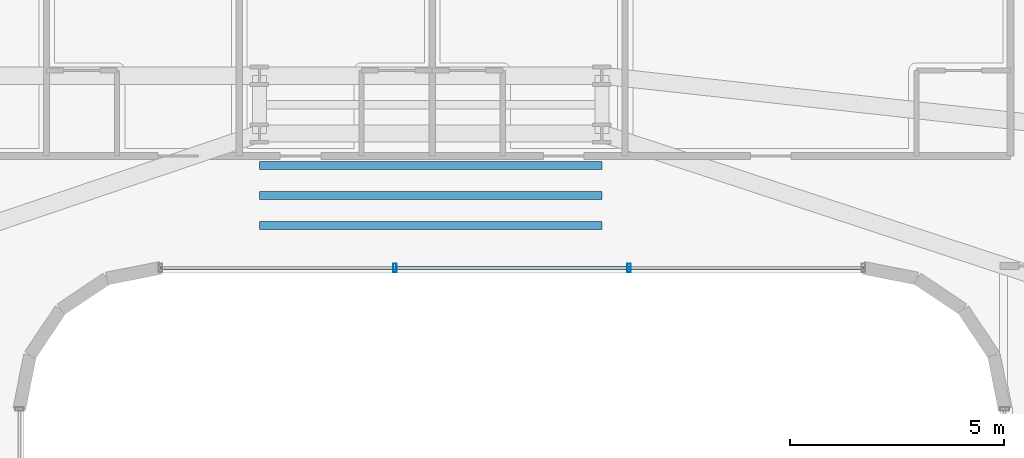
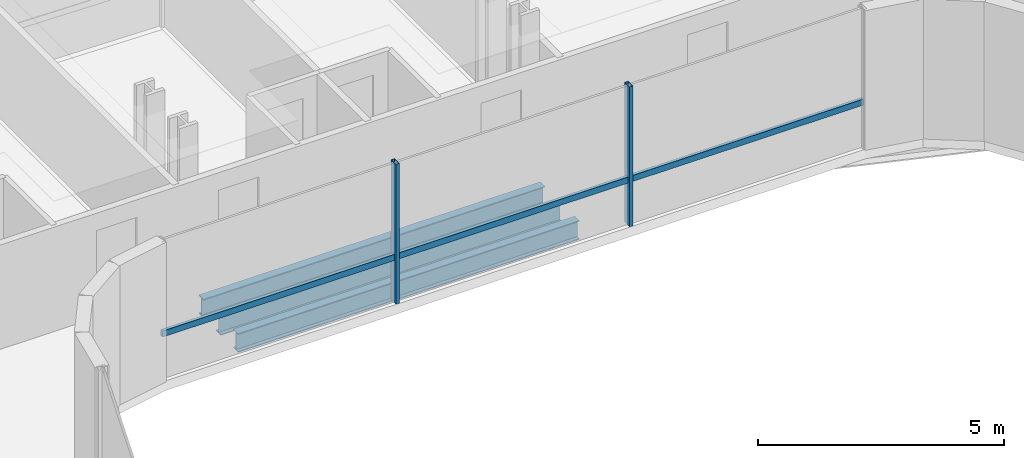
# One storey, part 15 of 42: 3 beams, 3 members, 1 element without a shape of its own.
"""IFC4 building model written with IfcOpenShell, lengths in metres."""

from ifc_helpers import new_model, si_unit, direction, frame, origin, origin_2d, place, context, subcontext, project, spatial, hollow_rectangle, i_section, extrude, source, transform, mapped, material, material_profile, profile_set, type_object, element, aggregate, save


model = new_model("IFC4")

# Units and contexts
model_context = context("Model", 3, precision=1e-05, world=origin(), true_north=direction((0.0, 1.0)))
body_context = subcontext(model_context, "Body", "Model", "MODEL_VIEW")
ifc_project = project(units=[si_unit("LENGTHUNIT", "METRE"), si_unit("AREAUNIT", "SQUARE_METRE"), si_unit("VOLUMEUNIT", "CUBIC_METRE"), si_unit("PLANEANGLEUNIT", "RADIAN"), si_unit("MASSUNIT", "GRAM", prefix="KILO")], contexts=[model_context])

# Site, building, storey
site_placement = place(None, origin())
site = spatial("IfcSite", under=ifc_project, at=site_placement, CompositionType="ELEMENT")
building_placement = place(site_placement, origin())
building = spatial("IfcBuilding", under=site, at=building_placement, Name="Valdorenza Pilgrim Sanctuary Tower", CompositionType="ELEMENT")
storey_placement = place(building_placement, frame((0.0, 0.0, 29.699951171875)))
storey = spatial("IfcBuildingStorey", under=building, at=storey_placement, Name="L06", CompositionType="ELEMENT", Elevation=29.699951171875)

# Beams
ifc_material_1 = material(Name="Steel ASTM A992 Grade 50", Category="steel")
ifc_material_profile_1 = material_profile(ifc_material_1, i_section(OverallWidth=0.193115234375, OverallDepth=0.466064453125, WebThickness=0.011474609375, FlangeThickness=0.01904296875, at=origin_2d()), Name="W18X65")
ifc_profile_set_1 = profile_set([ifc_material_profile_1], Name="Steel ASTM A992 Grade 50")
beam_type = type_object("IfcBeamType", Name="STR-BM-JST-W18A", PredefinedType="JOIST", material=ifc_profile_set_1)
shared_shape_1 = source(origin(), body_context, "Body", "SweptSolid", [
    extrude(i_section(OverallWidth=0.193115234375, OverallDepth=0.466064453125, WebThickness=0.011474609375, FlangeThickness=0.01904296875, at=origin_2d()), origin(), (0.0, 0.0, 1.0), 8.0),
])
for number, where, z_axis, x_axis, name in (
    (1, (-4.0, 11.300048828125, -0.472900390625), (1.0, 0.0, 0.0), (0.0, 1.0, 0.0), "L06 Knuckle Composite Joist JST-KNK-1"),
    (2, (-4.0, 12.0, -0.472900390625), (1.0, 0.0, 0.0), (0.0, 1.0, 0.0), "L06 Knuckle Composite Joist JST-KNK-2"),
    (3, (-4.0, 12.699951171875, -0.472900390625), (1.0, 0.0, 0.0), (0.0, 1.0, 0.0), "L06 Knuckle Composite Joist JST-KNK-3"),
):
    element("IfcBeam", number, at=place(storey_placement, frame(where, z_axis=z_axis, x_axis=x_axis)), inside=storey, type_object=beam_type, Name=name, PredefinedType="JOIST", context=body_context, shape_type="MappedRepresentation", body=[
        mapped(shared_shape_1, transform((0.0, 0.0, 0.0), x_axis=(1.0, 0.0, 0.0), y_axis=(0.0, 1.0, 0.0), z_axis=(0.0, 0.0, 1.0), scale=1.0)),
    ])

# Curtain wall, members
ifc_material_2 = material(Name="Curtain-wall IGU glazing", Category="glass")
curtain_wall_type = type_object("IfcCurtainWallType", Name="CW-SYS-02", PredefinedType="NOTDEFINED", material=ifc_material_2)
curtain_wall_placement = place(storey_placement, origin())
curtain_wall = element("IfcCurtainWall", 4, at=curtain_wall_placement, inside=storey, type_object=curtain_wall_type, Name="L06 Curtain Wall CW-L06-1-36", PredefinedType="NOTDEFINED")
ifc_material_3 = material(Name="Anodised aluminium AW-6060", Category="aluminium")
ifc_material_profile_2 = material_profile(ifc_material_3, hollow_rectangle(XDim=0.0849609375, YDim=0.199951171875, WallThickness=0.0048828125, at=origin_2d()), Name="ALU-M 200x85x5")
ifc_profile_set_2 = profile_set([ifc_material_profile_2], Name="Anodised aluminium AW-6060")
member_type_1 = type_object("IfcMemberType", Name="CW-MUL-02", PredefinedType="MULLION", material=ifc_profile_set_2)
shared_shape_2 = source(origin(), body_context, "Body", "SweptSolid", [
    extrude(hollow_rectangle(XDim=0.0849609375, YDim=0.199951171875, WallThickness=0.0048828125, at=origin_2d()), origin(), (0.0, 0.0, 1.0), 3.4599609375),
])
member_1_placement = place(storey_placement, frame((4.636962890625, 10.31005859375, 0.0), z_axis=(0.0, 0.0, 1.0), x_axis=(-1.0, 0.0, 0.0)))
member_1 = element("IfcMember", 5, at=member_1_placement, type_object=member_type_1, Name="CW-L06-1-36 Mullion 2", PredefinedType="MULLION", context=body_context, shape_type="MappedRepresentation", body=[
    mapped(shared_shape_2, transform((0.0, 0.0, 0.0), x_axis=(1.0, 0.0, 0.0), y_axis=(0.0, 1.0, 0.0), z_axis=(0.0, 0.0, 1.0), scale=1.0)),
])
member_2_placement = place(storey_placement, frame((-0.8369140625, 10.31005859375, 0.0), z_axis=(0.0, 0.0, 1.0), x_axis=(-1.0, 0.0, 0.0)))
member_2 = element("IfcMember", 6, at=member_2_placement, type_object=member_type_1, Name="CW-L06-1-36 Mullion 3", PredefinedType="MULLION", context=body_context, shape_type="MappedRepresentation", body=[
    mapped(shared_shape_2, transform((0.0, 0.0, 0.0), x_axis=(1.0, 0.0, 0.0), y_axis=(0.0, 1.0, 0.0), z_axis=(0.0, 0.0, 1.0), scale=1.0)),
])
ifc_material_profile_3 = material_profile(ifc_material_3, hollow_rectangle(XDim=0.074951171875, YDim=0.14990234375, WallThickness=0.00390625, at=origin_2d()), Name="ALU-T 150x75x4")
ifc_profile_set_3 = profile_set([ifc_material_profile_3], Name="Anodised aluminium AW-6060")
member_type_2 = type_object("IfcMemberType", Name="CW-TRN-02", PredefinedType="USERDEFINED", material=ifc_profile_set_3)
shared_shape_3 = source(origin(), body_context, "Body", "SweptSolid", [
    extrude(hollow_rectangle(XDim=0.074951171875, YDim=0.14990234375, WallThickness=0.00390625, at=origin_2d()), origin(), (0.0, 0.0, 1.0), 16.421630859375),
])
member_3_placement = place(storey_placement, frame((10.11083984375, 10.31005859375, 1.1201171875), z_axis=(-1.0, 0.0, 0.0), x_axis=(0.0, -1.0, 0.0)))
member_3 = element("IfcMember", 7, at=member_3_placement, type_object=member_type_2, Name="CW-L06-1-36 Transom 1", ObjectType="TRANSOM", PredefinedType="USERDEFINED", context=body_context, shape_type="MappedRepresentation", body=[
    mapped(shared_shape_3, transform((0.0, 0.0, 0.0), x_axis=(1.0, 0.0, 0.0), y_axis=(0.0, 1.0, 0.0), z_axis=(0.0, 0.0, 1.0), scale=1.0)),
])
aggregate(curtain_wall, [member_1, member_2, member_3])

save(model, "model.ifc")
